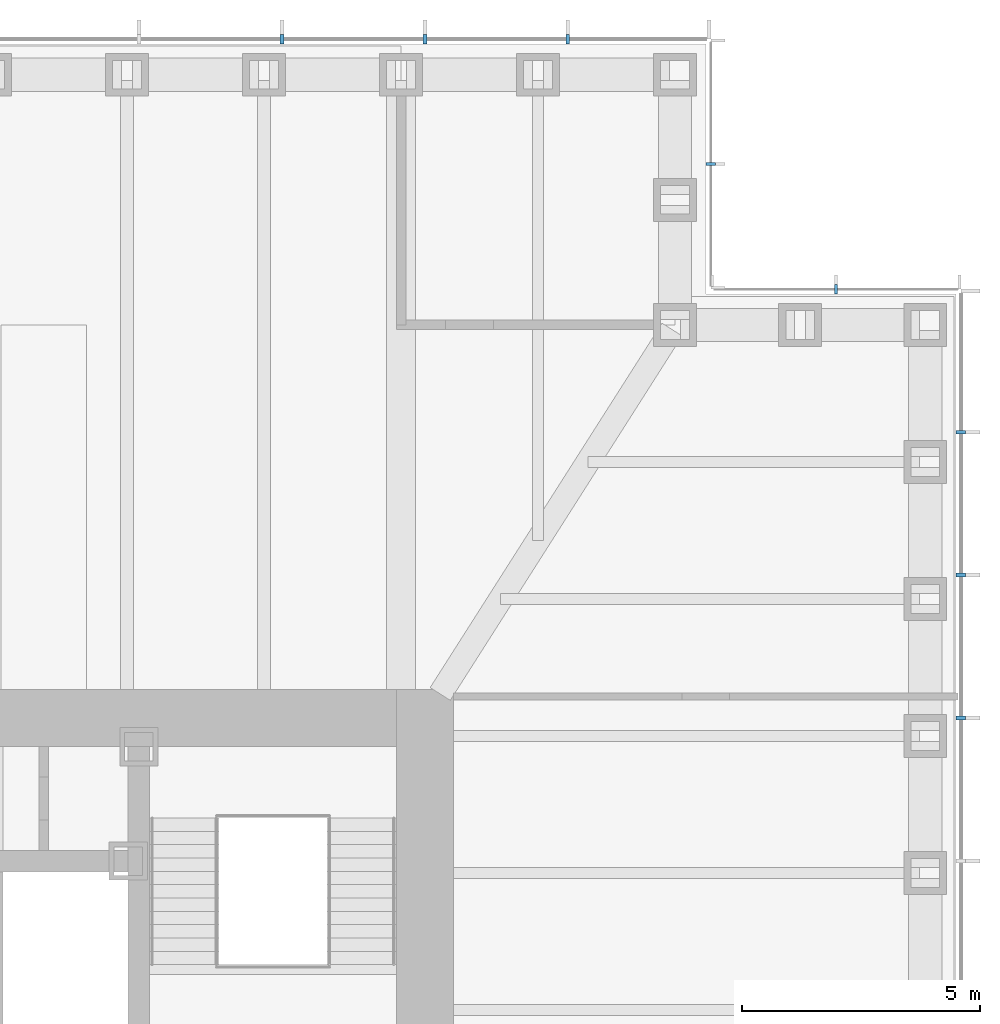
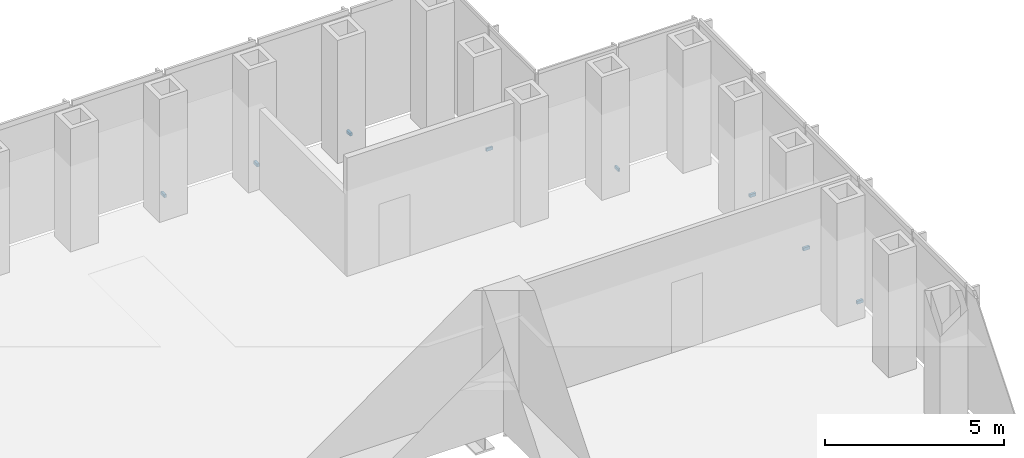
# One storey, part 15 of 16: 8 discrete accessories.
"""IFC4 building model written with IfcOpenShell, lengths in metres."""

from ifc_helpers import new_model, si_unit, direction, frame, origin, origin_2d, place, context, subcontext, project, spatial, rectangle, extrude, element, save


model = new_model("IFC4")

# Units and contexts
model_context = context("Model", 3, precision=1e-05, world=origin(), true_north=direction((0.0, 1.0)))
body_context = subcontext(model_context, "Body", "Model", "MODEL_VIEW")
ifc_project = project(units=[si_unit("LENGTHUNIT", "METRE"), si_unit("AREAUNIT", "SQUARE_METRE"), si_unit("VOLUMEUNIT", "CUBIC_METRE"), si_unit("PLANEANGLEUNIT", "RADIAN"), si_unit("MASSUNIT", "GRAM", prefix="KILO")], contexts=[model_context])

# Site, building, storey
site_placement = place(None, origin())
site = spatial("IfcSite", under=ifc_project, at=site_placement, CompositionType="ELEMENT")
building_placement = place(site_placement, origin())
building = spatial("IfcBuilding", under=site, at=building_placement, Name="Daluyong Arena Tower", CompositionType="ELEMENT")
storey_placement = place(building_placement, frame((0.0, 0.0, 120.699951171875)))
storey = spatial("IfcBuildingStorey", under=building, at=storey_placement, Name="L26", CompositionType="ELEMENT", Elevation=120.699951171875)

# Discrete accessories
for number, where, z_axis, x_axis, name in (
    (1, (79.25, 89.0, -0.10009765625), (0.0, 0.0, 1.0), (0.0, 1.0, 0.0), "curtain wall L26 E anchor bracket 10"),
    (2, (79.25, 92.0, -0.10009765625), (0.0, 0.0, 1.0), (0.0, 1.0, 0.0), "curtain wall L26 E anchor bracket 11"),
    (3, (79.25, 95.0, -0.10009765625), (0.0, 0.0, 1.0), (0.0, 1.0, 0.0), "curtain wall L26 E anchor bracket 12"),
):
    element("IfcDiscreteAccessory", number, at=place(storey_placement, frame(where, z_axis=z_axis, x_axis=x_axis)), inside=storey, Name=name, PredefinedType="BRACKET", context=body_context, shape_type="SweptSolid", body=[
        extrude(rectangle(XDim=0.080078125, YDim=0.199951171875, at=origin_2d()), origin(), (0.0, 0.0, 1.0), 0.10009765625),
    ])
for number, where, z_axis, x_axis, name in (
    (4, (76.625, 98.0, -0.10009765625), (0.0, 0.0, 1.0), (-1.0, 0.0, 0.0), "curtain wall L26 NE-N anchor bracket 2"),
    (5, (74.0, 100.625, -0.10009765625), (0.0, 0.0, 1.0), (0.0, 1.0, 0.0), "curtain wall L26 NE-E anchor bracket 2"),
):
    element("IfcDiscreteAccessory", number, at=place(storey_placement, frame(where, z_axis=z_axis, x_axis=x_axis)), inside=storey, Name=name, PredefinedType="BRACKET", context=body_context, shape_type="SweptSolid", body=[
        extrude(rectangle(XDim=0.06005859375, YDim=0.199951171875, at=origin_2d()), origin(), (0.0, 0.0, 1.0), 0.10009765625),
    ])
for number, where, z_axis, x_axis, name in (
    (6, (71.0, 103.25, -0.10009765625), (0.0, 0.0, 1.0), (-1.0, 0.0, 0.0), "curtain wall L26 N anchor bracket 2"),
    (7, (68.0, 103.25, -0.10009765625), (0.0, 0.0, 1.0), (-1.0, 0.0, 0.0), "curtain wall L26 N anchor bracket 3"),
    (8, (65.0, 103.25, -0.10009765625), (0.0, 0.0, 1.0), (-1.0, 0.0, 0.0), "curtain wall L26 N anchor bracket 4"),
):
    element("IfcDiscreteAccessory", number, at=place(storey_placement, frame(where, z_axis=z_axis, x_axis=x_axis)), inside=storey, Name=name, PredefinedType="BRACKET", context=body_context, shape_type="SweptSolid", body=[
        extrude(rectangle(XDim=0.080078125, YDim=0.199951171875, at=origin_2d()), origin(), (0.0, 0.0, 1.0), 0.10009765625),
    ])

save(model, "model.ifc")
